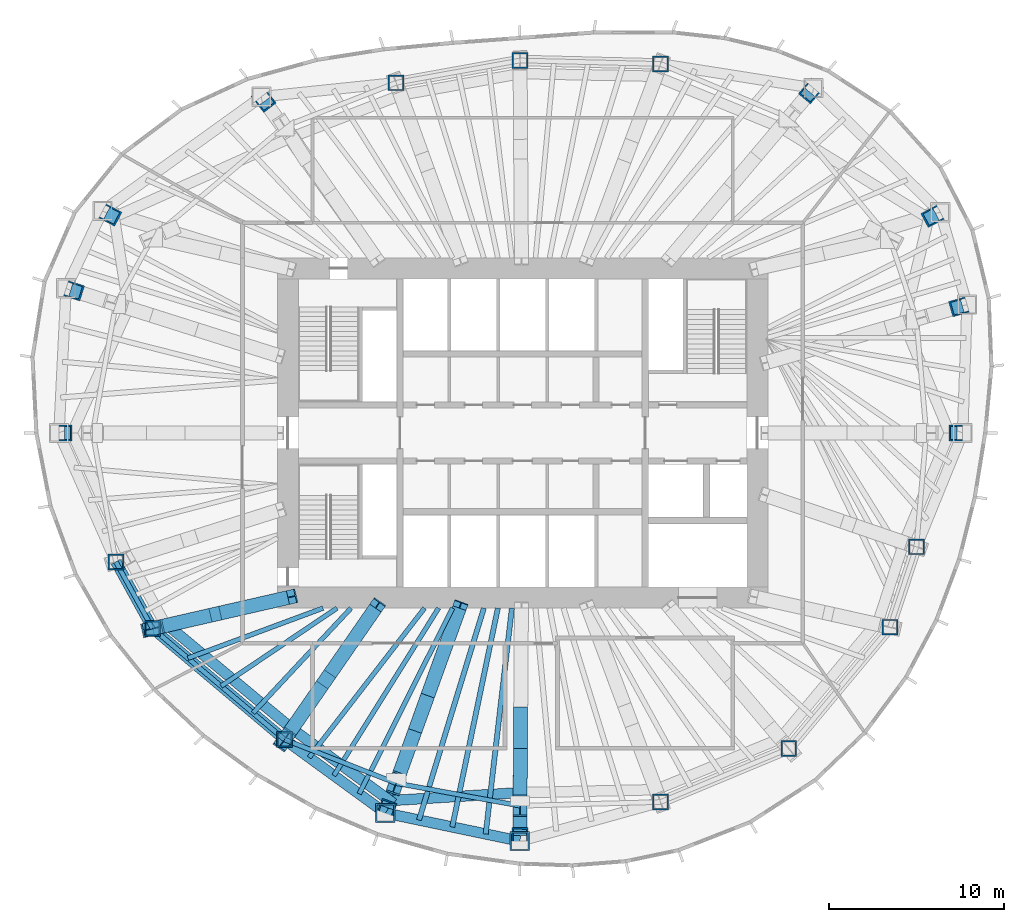
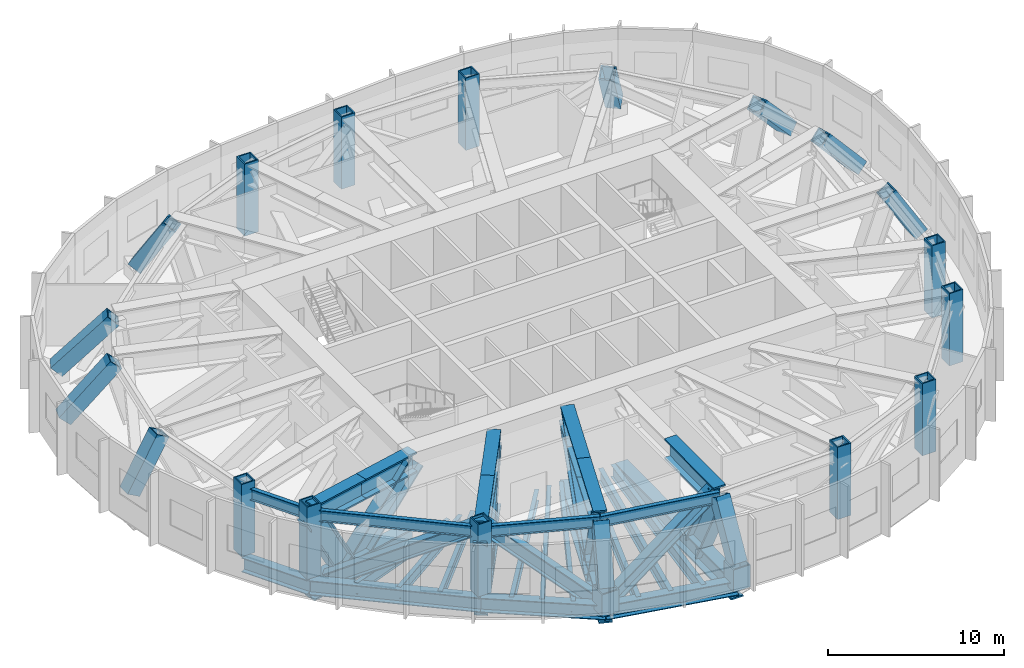
# One storey, part 1 of 11: 27 members, 20 columns, 13 beams.
"""IFC4 building model written with IfcOpenShell, lengths in metres."""

from ifc_helpers import new_model, si_unit, direction, frame, origin, origin_2d, place, context, subcontext, project, spatial, hollow_rectangle, i_section, extrude, material, material_profile, profile_set, type_object, element, save


model = new_model("IFC4")

# Units and contexts
model_context = context("Model", 3, precision=1e-05, world=origin(), true_north=direction((0.0, 1.0)))
body_context = subcontext(model_context, "Body", "Model", "MODEL_VIEW")
ifc_project = project(units=[si_unit("LENGTHUNIT", "METRE"), si_unit("AREAUNIT", "SQUARE_METRE"), si_unit("VOLUMEUNIT", "CUBIC_METRE"), si_unit("PLANEANGLEUNIT", "RADIAN"), si_unit("MASSUNIT", "GRAM", prefix="KILO")], contexts=[model_context])

# Site, building, storey
site_placement = place(None, origin())
site = spatial("IfcSite", under=ifc_project, at=site_placement, CompositionType="ELEMENT")
building_placement = place(site_placement, origin())
building = spatial("IfcBuilding", under=site, at=building_placement, Name="Ghaith Harvest Tower", CompositionType="ELEMENT")
storey_placement = place(building_placement, frame((0.0, 0.0, 266.199951171875)))
storey = spatial("IfcBuildingStorey", under=building, at=storey_placement, Name="L59", CompositionType="ELEMENT", Elevation=266.199951171875)

# Columns
ifc_material_1 = material(Name="Steel S460M", Category="steel")
ifc_material_profile_1 = material_profile(ifc_material_1, hollow_rectangle(XDim=0.89990234375, YDim=0.89990234375, WallThickness=0.080078125, at=origin_2d()), Name="BOX900X900X80")
ifc_profile_set_1 = profile_set([ifc_material_profile_1], Name="Steel S460M")
column_type = type_object("IfcColumnType", Name="TS1 BOX900X900X80", PredefinedType="COLUMN", material=ifc_profile_set_1)
column_1_placement = place(storey_placement, frame((25.125, 0.0, 0.775146484375), z_axis=(-0.515405111385, 0.0, 0.856946655958), x_axis=(0.0, -1.0, 0.0)))
element("IfcColumn", 1, at=column_1_placement, inside=storey, type_object=column_type, Name="Raked transfer column C01", PredefinedType="COLUMN", context=body_context, shape_type="SweptSolid", body=[
    extrude(hollow_rectangle(XDim=0.89990234375, YDim=0.89990234375, WallThickness=0.080078125, at=origin_2d()), origin(), (0.0, 0.0, 1.0), 4.02587890625),
])
column_2_placement = place(storey_placement, frame((25.3779296875, 7.3349609375, 0.775146484375), z_axis=(-0.631726369702, -0.182549674222, 0.753390609355), x_axis=(0.277611158879, -0.960693522652, 0.0)))
element("IfcColumn", 2, at=column_2_placement, inside=storey, type_object=column_type, Name="Raked transfer column C02", PredefinedType="COLUMN", context=body_context, shape_type="SweptSolid", body=[
    extrude(hollow_rectangle(XDim=0.89990234375, YDim=0.89990234375, WallThickness=0.080078125, at=origin_2d()), origin(), (0.0, 0.0, 1.0), 4.579345703125),
])
column_3_placement = place(storey_placement, frame((23.85205078125, 12.60693359375, 0.775146484375), z_axis=(-0.606436450507, -0.320418443873, 0.727713441076), x_axis=(0.467163118871, -0.884171148798, 0.0)))
element("IfcColumn", 3, at=column_3_placement, inside=storey, type_object=column_type, Name="Raked transfer column C03", PredefinedType="COLUMN", context=body_context, shape_type="SweptSolid", body=[
    extrude(hollow_rectangle(XDim=0.89990234375, YDim=0.89990234375, WallThickness=0.080078125, at=origin_2d()), origin(), (0.0, 0.0, 1.0), 4.74072265625),
])
column_4_placement = place(storey_placement, frame((16.60791015625, 19.695068359375, 0.775146484375), z_axis=(-0.345156416479, -0.409346544842, 0.844572350003), x_axis=(0.764502907629, -0.6446202791, 0.0)))
element("IfcColumn", 4, at=column_4_placement, inside=storey, type_object=column_type, Name="Raked transfer column C04", PredefinedType="COLUMN", context=body_context, shape_type="SweptSolid", body=[
    extrude(hollow_rectangle(XDim=0.89990234375, YDim=0.89990234375, WallThickness=0.080078125, at=origin_2d()), origin(), (0.0, 0.0, 1.0), 4.0849609375),
])
for number, where, z_axis, x_axis, name in (
    (5, (7.8779296875, 21.072021484375, 0.0), (0.0, 0.0, 1.0), (1.0, 0.0, 0.0), "Perimeter column C05"),
    (6, (-0.14599609375, 21.27099609375, 0.0), (0.0, 0.0, 1.0), (1.0, 0.0, 0.0), "Perimeter column C06"),
    (7, (-7.221923828125, 19.9970703125, 0.0), (0.0, 0.0, 1.0), (1.0, 0.0, 0.0), "Perimeter column C07"),
):
    element("IfcColumn", number, at=place(storey_placement, frame(where, z_axis=z_axis, x_axis=x_axis)), inside=storey, type_object=column_type, Name=name, PredefinedType="COLUMN", context=body_context, shape_type="SweptSolid", body=[
        extrude(hollow_rectangle(XDim=0.89990234375, YDim=0.89990234375, WallThickness=0.080078125, at=origin_2d()), origin(), (0.0, 0.0, 1.0), 5.0),
    ])
column_5_placement = place(storey_placement, frame((-14.910888671875, 19.199951171875, 0.775146484375), z_axis=(0.323887325382, -0.417207736573, 0.849137624299), x_axis=(0.789909367964, 0.613223605549, 0.0)))
element("IfcColumn", 8, at=column_5_placement, inside=storey, type_object=column_type, Name="Raked transfer column C08", PredefinedType="COLUMN", context=body_context, shape_type="SweptSolid", body=[
    extrude(hollow_rectangle(XDim=0.89990234375, YDim=0.89990234375, WallThickness=0.080078125, at=origin_2d()), origin(), (0.0, 0.0, 1.0), 4.06298828125),
])
column_6_placement = place(storey_placement, frame((-23.986083984375, 12.677978515625, 0.775146484375), z_axis=(0.604865513716, -0.319646055674, 0.729358697356), x_axis=(0.467228978727, 0.884136347764, 0.0)))
element("IfcColumn", 9, at=column_6_placement, inside=storey, type_object=column_type, Name="Raked transfer column C09", PredefinedType="COLUMN", context=body_context, shape_type="SweptSolid", body=[
    extrude(hollow_rectangle(XDim=0.89990234375, YDim=0.89990234375, WallThickness=0.080078125, at=origin_2d()), origin(), (0.0, 0.0, 1.0), 4.730224609375),
])
column_7_placement = place(storey_placement, frame((-26.06689453125, 8.260986328125, 0.775146484375), z_axis=(0.623392642344, -0.197554006377, 0.756540830382), x_axis=(0.302095077495, 0.953277800095, 0.0)))
element("IfcColumn", 10, at=column_7_placement, inside=storey, type_object=column_type, Name="Raked transfer column C10", PredefinedType="COLUMN", context=body_context, shape_type="SweptSolid", body=[
    extrude(hollow_rectangle(XDim=0.89990234375, YDim=0.89990234375, WallThickness=0.080078125, at=origin_2d()), origin(), (0.0, 0.0, 1.0), 4.56005859375),
])
column_8_placement = place(storey_placement, frame((-26.47509765625, 0.0, 0.775146484375), z_axis=(0.487268631782, 0.0, 0.873252128816), x_axis=(0.0, 1.0, 0.0)))
element("IfcColumn", 11, at=column_8_placement, inside=storey, type_object=column_type, Name="Raked transfer column C11", PredefinedType="COLUMN", context=body_context, shape_type="SweptSolid", body=[
    extrude(hollow_rectangle(XDim=0.89990234375, YDim=0.89990234375, WallThickness=0.080078125, at=origin_2d()), origin(), (0.0, 0.0, 1.0), 3.95068359375),
])
for number, where, z_axis, x_axis, name in (
    (12, (-23.22412109375, -7.360107421875, 0.0), (0.0, 0.0, 1.0), (1.0, 0.0, 0.0), "Perimeter column C12"),
    (13, (-21.125, -11.166015625, 0.0), (0.0, 0.0, 1.0), (1.0, 0.0, 0.0), "Perimeter column C13"),
    (14, (-13.594970703125, -17.5048828125, 0.0), (0.0, 0.0, 1.0), (1.0, 0.0, 0.0), "Perimeter column C14"),
):
    element("IfcColumn", number, at=place(storey_placement, frame(where, z_axis=z_axis, x_axis=x_axis)), inside=storey, type_object=column_type, Name=name, PredefinedType="COLUMN", context=body_context, shape_type="SweptSolid", body=[
        extrude(hollow_rectangle(XDim=0.89990234375, YDim=0.89990234375, WallThickness=0.080078125, at=origin_2d()), origin(), (0.0, 0.0, 1.0), 5.0),
    ])
column_9_placement = place(storey_placement, frame((-7.837890625, -21.699951171875, 0.775146484375), z_axis=(0.158089001677, 0.437047477883, 0.885436259493), x_axis=(-0.94037072056, 0.340151301502, 0.0)))
element("IfcColumn", 15, at=column_9_placement, inside=storey, type_object=column_type, Name="Raked transfer column C15", PredefinedType="COLUMN", context=body_context, shape_type="SweptSolid", body=[
    extrude(hollow_rectangle(XDim=0.89990234375, YDim=0.89990234375, WallThickness=0.080078125, at=origin_2d()), origin(), (0.0, 0.0, 1.0), 3.896240234375),
])
column_10_placement = place(storey_placement, frame((-0.158935546875, -23.304931640625, 0.775146484375), z_axis=(0.003237001924, 0.505094451094, 0.863058003435), x_axis=(-0.999979464875, 0.006408574563, 0.0)))
element("IfcColumn", 16, at=column_10_placement, inside=storey, type_object=column_type, Name="Raked transfer column C16", PredefinedType="COLUMN", context=body_context, shape_type="SweptSolid", body=[
    extrude(hollow_rectangle(XDim=0.89990234375, YDim=0.89990234375, WallThickness=0.080078125, at=origin_2d()), origin(), (0.0, 0.0, 1.0), 3.997314453125),
])
for number, where, z_axis, x_axis, name in (
    (17, (7.8779296875, -21.072021484375, 0.0), (0.0, 0.0, 1.0), (1.0, 0.0, 0.0), "Perimeter column C17"),
    (18, (15.197998046875, -18.02294921875, 0.0), (0.0, 0.0, 1.0), (1.0, 0.0, 0.0), "Perimeter column C18"),
    (19, (20.97705078125, -11.087890625, 0.0), (0.0, 0.0, 1.0), (1.0, 0.0, 0.0), "Perimeter column C19"),
    (20, (22.485107421875, -6.4990234375, 0.0), (0.0, 0.0, 1.0), (1.0, 0.0, 0.0), "Perimeter column C20"),
):
    element("IfcColumn", number, at=place(storey_placement, frame(where, z_axis=z_axis, x_axis=x_axis)), inside=storey, type_object=column_type, Name=name, PredefinedType="COLUMN", context=body_context, shape_type="SweptSolid", body=[
        extrude(hollow_rectangle(XDim=0.89990234375, YDim=0.89990234375, WallThickness=0.080078125, at=origin_2d()), origin(), (0.0, 0.0, 1.0), 5.0),
    ])

# Members
ifc_material_2 = material(Name="Steel ASTM A992 Grade 50", Category="steel")
ifc_material_profile_2 = material_profile(ifc_material_2, i_section(OverallWidth=0.26806640625, OverallDepth=0.77001953125, WebThickness=0.015625, FlangeThickness=0.025390625, at=origin_2d()), Name="W760X196")
ifc_profile_set_2 = profile_set([ifc_material_profile_2], Name="Steel ASTM A992 Grade 50")
member_type_1 = type_object("IfcMemberType", Name="BC760-196 W760X196", PredefinedType="CHORD", material=ifc_profile_set_2)
member_1_placement = place(storey_placement, frame((-23.22412109375, -7.360107421875, 4.130126953125), z_axis=(0.482955575345, -0.875644855089, 0.0), x_axis=(0.875644855089, 0.482955575345, 0.0)))
element("IfcMember", 21, at=member_1_placement, inside=storey, type_object=member_type_1, Name="Belt truss BT12 top chord", PredefinedType="CHORD", context=body_context, shape_type="SweptSolid", body=[
    extrude(i_section(OverallWidth=0.26806640625, OverallDepth=0.77001953125, WebThickness=0.015625, FlangeThickness=0.025390625, at=origin_2d()), origin(), (0.0, 0.0, 1.0), 4.346435546875),
])
member_2_placement = place(storey_placement, frame((-21.125, -11.166015625, 4.130126953125), z_axis=(0.765021818761, -0.64400436087, 0.0), x_axis=(0.64400436087, 0.765021818761, 0.0)))
element("IfcMember", 22, at=member_2_placement, inside=storey, type_object=member_type_1, Name="Belt truss BT13 top chord", PredefinedType="CHORD", context=body_context, shape_type="SweptSolid", body=[
    extrude(i_section(OverallWidth=0.26806640625, OverallDepth=0.77001953125, WebThickness=0.015625, FlangeThickness=0.025390625, at=origin_2d()), origin(), (0.0, 0.0, 1.0), 9.8427734375),
])
member_3_placement = place(storey_placement, frame((-13.594970703125, -17.5048828125, 4.130126953125), z_axis=(0.931322768207, -0.364194867371, 0.0), x_axis=(0.364194867371, 0.931322768207, 0.0)))
element("IfcMember", 23, at=member_3_placement, inside=storey, type_object=member_type_1, Name="Belt truss BT14 top chord", PredefinedType="CHORD", context=body_context, shape_type="SweptSolid", body=[
    extrude(i_section(OverallWidth=0.26806640625, OverallDepth=0.77001953125, WebThickness=0.015625, FlangeThickness=0.025390625, at=origin_2d()), origin(), (0.0, 0.0, 1.0), 6.843017578125),
])
member_4_placement = place(storey_placement, frame((-7.221923828125, -19.9970703125, 4.130126953125), z_axis=(0.983813921429, -0.179193102551, 0.0), x_axis=(0.179193102551, 0.983813921429, 0.0)))
element("IfcMember", 24, at=member_4_placement, inside=storey, type_object=member_type_1, Name="Belt truss BT15 top chord", PredefinedType="CHORD", context=body_context, shape_type="SweptSolid", body=[
    extrude(i_section(OverallWidth=0.26806640625, OverallDepth=0.77001953125, WebThickness=0.015625, FlangeThickness=0.025390625, at=origin_2d()), origin(), (0.0, 0.0, 1.0), 7.1923828125),
])
ifc_material_3 = material(Name="Steel S460", Category="steel")
ifc_material_profile_3 = material_profile(ifc_material_3, i_section(OverallWidth=0.60009765625, OverallDepth=0.89990234375, WebThickness=0.031982421875, FlangeThickness=0.06396484375, at=origin_2d()), Name="PG900X600X32X64")
ifc_profile_set_3 = profile_set([ifc_material_profile_3], Name="Steel S460")
member_type_2 = type_object("IfcMemberType", Name="BD900 PG900X600X32X64", PredefinedType="BRACE", material=ifc_profile_set_3)
member_5_placement = place(storey_placement, frame((-20.4619140625, -10.8154296875, -1.0), z_axis=(0.676860212669, -0.563257037459, 0.473921683676), x_axis=(0.639652676992, 0.768664070201, 0.0)))
element("IfcMember", 25, at=member_5_placement, inside=storey, type_object=member_type_2, Name="Belt truss BT13 diagonal", PredefinedType="BRACE", context=body_context, shape_type="SweptSolid", body=[
    extrude(i_section(OverallWidth=0.60009765625, OverallDepth=0.89990234375, WebThickness=0.031982421875, FlangeThickness=0.06396484375, at=origin_2d()), origin(), (0.0, 0.0, 1.0), 10.824951171875),
])
member_6_placement = place(storey_placement, frame((-13.135009765625, -16.91259765625, 4.130126953125), z_axis=(0.646238646764, -0.475158758746, -0.597159748656), x_axis=(0.592376923227, 0.805660958982, 0.0)))
element("IfcMember", 26, at=member_6_placement, inside=storey, type_object=member_type_2, Name="Belt truss BT14 diagonal", PredefinedType="BRACE", context=body_context, shape_type="SweptSolid", body=[
    extrude(i_section(OverallWidth=0.60009765625, OverallDepth=0.89990234375, WebThickness=0.031982421875, FlangeThickness=0.06396484375, at=origin_2d()), origin(), (0.0, 0.0, 1.0), 8.5908203125),
])
member_7_placement = place(storey_placement, frame((-7.583251953125, -20.99462890625, -1.0), z_axis=(0.82228640705, 0.050684823476, 0.566812238267), x_axis=(-0.061522131184, 0.998105719538, 0.0)))
element("IfcMember", 27, at=member_7_placement, inside=storey, type_object=member_type_2, Name="Belt truss BT15 diagonal", PredefinedType="BRACE", context=body_context, shape_type="SweptSolid", body=[
    extrude(i_section(OverallWidth=0.60009765625, OverallDepth=0.89990234375, WebThickness=0.031982421875, FlangeThickness=0.06396484375, at=origin_2d()), origin(), (0.0, 0.0, 1.0), 9.05078125),
])

# Beams
ifc_material_4 = material(Name="Steel S460", Category="steel")
ifc_material_profile_4 = material_profile(ifc_material_4, i_section(OverallWidth=0.60009765625, OverallDepth=1.0, WebThickness=0.02490234375, FlangeThickness=0.050048828125, at=origin_2d()), Name="PG1000X600X25X50")
ifc_profile_set_4 = profile_set([ifc_material_profile_4], Name="Steel S460")
beam_type_1 = type_object("IfcBeamType", Name="EPG1000 PG1000X600X25X50", PredefinedType="SPANDREL", material=ifc_profile_set_4)
beam_1_placement = place(storey_placement, frame((-23.22412109375, -7.360107421875, -0.800048828125), z_axis=(0.482955575345, -0.875644855089, 0.0), x_axis=(0.875644855089, 0.482955575345, 0.0)))
element("IfcBeam", 28, at=beam_1_placement, inside=storey, type_object=beam_type_1, Name="Edge beam E12 L59", PredefinedType="SPANDREL", context=body_context, shape_type="SweptSolid", body=[
    extrude(i_section(OverallWidth=0.60009765625, OverallDepth=1.0, WebThickness=0.02490234375, FlangeThickness=0.050048828125, at=origin_2d()), origin(), (0.0, 0.0, 1.0), 4.346435546875),
])
beam_2_placement = place(storey_placement, frame((-21.125, -11.166015625, -0.800048828125), z_axis=(0.765021818761, -0.64400436087, 0.0), x_axis=(0.64400436087, 0.765021818761, 0.0)))
element("IfcBeam", 29, at=beam_2_placement, inside=storey, type_object=beam_type_1, Name="Edge beam E13 L59", PredefinedType="SPANDREL", context=body_context, shape_type="SweptSolid", body=[
    extrude(i_section(OverallWidth=0.60009765625, OverallDepth=1.0, WebThickness=0.02490234375, FlangeThickness=0.050048828125, at=origin_2d()), origin(), (0.0, 0.0, 1.0), 9.8427734375),
])
beam_3_placement = place(storey_placement, frame((-13.594970703125, -17.5048828125, -0.800048828125), z_axis=(0.808194782503, -0.588915268553, 0.0), x_axis=(0.588915268553, 0.808194782503, 0.0)))
element("IfcBeam", 30, at=beam_3_placement, inside=storey, type_object=beam_type_1, Name="Edge beam E14 L59", PredefinedType="SPANDREL", context=body_context, shape_type="SweptSolid", body=[
    extrude(i_section(OverallWidth=0.60009765625, OverallDepth=1.0, WebThickness=0.02490234375, FlangeThickness=0.050048828125, at=origin_2d()), origin(), (0.0, 0.0, 1.0), 7.123291015625),
])
beam_4_placement = place(storey_placement, frame((-7.837890625, -21.699951171875, -0.800048828125), z_axis=(0.978847910797, -0.20458926543, 0.0), x_axis=(0.20458926543, 0.978847910797, 0.0)))
element("IfcBeam", 31, at=beam_4_placement, inside=storey, type_object=beam_type_1, Name="Edge beam E15 L59", PredefinedType="SPANDREL", context=body_context, shape_type="SweptSolid", body=[
    extrude(i_section(OverallWidth=0.60009765625, OverallDepth=1.0, WebThickness=0.02490234375, FlangeThickness=0.050048828125, at=origin_2d()), origin(), (0.0, 0.0, 1.0), 7.844970703125),
])
ifc_material_5 = material(Name="Steel ASTM A992 Grade 50", Category="steel")
ifc_material_profile_5 = material_profile(ifc_material_5, i_section(OverallWidth=0.26806640625, OverallDepth=0.77001953125, WebThickness=0.015625, FlangeThickness=0.025390625, at=origin_2d()), Name="W760X196")
ifc_profile_set_5 = profile_set([ifc_material_profile_5], Name="Steel ASTM A992 Grade 50")
beam_type_2 = type_object("IfcBeamType", Name="J760-196 W760X196", PredefinedType="JOIST", material=ifc_profile_set_5)
beam_5_placement = place(storey_placement, frame((-11.39990234375, -10.0, -0.68505859375), z_axis=(-0.937594001899, -0.34773191916, 0.0), x_axis=(0.34773191916, -0.937594001899, 0.0)))
element("IfcBeam", 32, at=beam_5_placement, inside=storey, type_object=beam_type_2, Name="Joist J13.1 L59", PredefinedType="JOIST", context=body_context, shape_type="SweptSolid", body=[
    extrude(i_section(OverallWidth=0.26806640625, OverallDepth=0.77001953125, WebThickness=0.015625, FlangeThickness=0.025390625, at=origin_2d()), origin(), (0.0, 0.0, 1.0), 8.225830078125),
])
beam_6_placement = place(storey_placement, frame((-10.60009765625, -10.0, -0.68505859375), z_axis=(-0.829594017544, -0.55836705316, 0.0), x_axis=(0.55836705316, -0.829594017544, 0.0)))
element("IfcBeam", 33, at=beam_6_placement, inside=storey, type_object=beam_type_2, Name="Joist J13.2 L59", PredefinedType="JOIST", context=body_context, shape_type="SweptSolid", body=[
    extrude(i_section(OverallWidth=0.26806640625, OverallDepth=0.77001953125, WebThickness=0.015625, FlangeThickness=0.025390625, at=origin_2d()), origin(), (0.0, 0.0, 1.0), 7.977783203125),
])
beam_7_placement = place(storey_placement, frame((-9.800048828125, -10.0, -0.68505859375), z_axis=(-0.68249016383, -0.730894777841, 0.0), x_axis=(0.730894777841, -0.68249016383, 0.0)))
element("IfcBeam", 34, at=beam_7_placement, inside=storey, type_object=beam_type_2, Name="Joist J13.3 L59", PredefinedType="JOIST", context=body_context, shape_type="SweptSolid", body=[
    extrude(i_section(OverallWidth=0.26806640625, OverallDepth=0.77001953125, WebThickness=0.015625, FlangeThickness=0.025390625, at=origin_2d()), origin(), (0.0, 0.0, 1.0), 8.196044921875),
])
beam_8_placement = place(storey_placement, frame((-5.60009765625, -10.0, -0.68505859375), z_axis=(-0.611412687895, -0.791311901264, 0.0), x_axis=(0.791311901264, -0.611412687895, 0.0)))
element("IfcBeam", 35, at=beam_8_placement, inside=storey, type_object=beam_type_2, Name="Joist J14.1 L59", PredefinedType="JOIST", context=body_context, shape_type="SweptSolid", body=[
    extrude(i_section(OverallWidth=0.26806640625, OverallDepth=0.77001953125, WebThickness=0.015625, FlangeThickness=0.025390625, at=origin_2d()), origin(), (0.0, 0.0, 1.0), 10.778076171875),
])
beam_9_placement = place(storey_placement, frame((-4.800048828125, -10.0, -0.68505859375), z_axis=(-0.529921073682, -0.848046965484, 0.0), x_axis=(0.848046965484, -0.529921073682, 0.0)))
element("IfcBeam", 36, at=beam_9_placement, inside=storey, type_object=beam_type_2, Name="Joist J14.2 L59", PredefinedType="JOIST", context=body_context, shape_type="SweptSolid", body=[
    extrude(i_section(OverallWidth=0.26806640625, OverallDepth=0.77001953125, WebThickness=0.015625, FlangeThickness=0.025390625, at=origin_2d()), origin(), (0.0, 0.0, 1.0), 11.273681640625),
])
beam_10_placement = place(storey_placement, frame((-4.0, -10.0, -0.68505859375), z_axis=(-0.448791718068, -0.893636387908, 0.0), x_axis=(0.893636387908, -0.448791718068, 0.0)))
element("IfcBeam", 37, at=beam_10_placement, inside=storey, type_object=beam_type_2, Name="Joist J14.3 L59", PredefinedType="JOIST", context=body_context, shape_type="SweptSolid", body=[
    extrude(i_section(OverallWidth=0.26806640625, OverallDepth=0.77001953125, WebThickness=0.015625, FlangeThickness=0.025390625, at=origin_2d()), origin(), (0.0, 0.0, 1.0), 11.8759765625),
])
ifc_material_6 = material(Name="Steel ASTM A992 Grade 50", Category="steel")
ifc_material_profile_6 = material_profile(ifc_material_6, i_section(OverallWidth=0.2939453125, OverallDepth=0.85107421875, WebThickness=0.01611328125, FlangeThickness=0.02685546875, at=origin_2d()), Name="W840X226")
ifc_profile_set_6 = profile_set([ifc_material_profile_6], Name="Steel ASTM A992 Grade 50")
beam_type_3 = type_object("IfcBeamType", Name="J840-226 W840X226", PredefinedType="JOIST", material=ifc_profile_set_6)
beam_11_placement = place(storey_placement, frame((-2.2119140625, -10.0, -0.725341796875), z_axis=(-0.292880561557, -0.956149034755, 0.0), x_axis=(0.956149034755, -0.292880561557, 0.0)))
element("IfcBeam", 38, at=beam_11_placement, inside=storey, type_object=beam_type_3, Name="Joist J15.1 L59", PredefinedType="JOIST", context=body_context, shape_type="SweptSolid", body=[
    extrude(i_section(OverallWidth=0.2939453125, OverallDepth=0.85107421875, WebThickness=0.01611328125, FlangeThickness=0.02685546875, at=origin_2d()), origin(), (0.0, 0.0, 1.0), 12.65625),
])
beam_12_placement = place(storey_placement, frame((-1.411865234375, -10.0, -0.725341796875), z_axis=(-0.204111557153, -0.978947635084, 0.0), x_axis=(0.978947635084, -0.204111557153, 0.0)))
element("IfcBeam", 39, at=beam_12_placement, inside=storey, type_object=beam_type_3, Name="Joist J15.2 L59", PredefinedType="JOIST", context=body_context, shape_type="SweptSolid", body=[
    extrude(i_section(OverallWidth=0.2939453125, OverallDepth=0.85107421875, WebThickness=0.01611328125, FlangeThickness=0.02685546875, at=origin_2d()), origin(), (0.0, 0.0, 1.0), 12.767333984375),
])
beam_13_placement = place(storey_placement, frame((-0.61181640625, -10.0, -0.725341796875), z_axis=(-0.115187191449, -0.993343802984, 0.0), x_axis=(0.993343802984, -0.115187191449, 0.0)))
element("IfcBeam", 40, at=beam_13_placement, inside=storey, type_object=beam_type_3, Name="Joist J15.3 L59", PredefinedType="JOIST", context=body_context, shape_type="SweptSolid", body=[
    extrude(i_section(OverallWidth=0.2939453125, OverallDepth=0.85107421875, WebThickness=0.01611328125, FlangeThickness=0.02685546875, at=origin_2d()), origin(), (0.0, 0.0, 1.0), 12.984130859375),
])

# Members
ifc_material_7 = material(Name="Steel S460M", Category="steel")
ifc_material_profile_7 = material_profile(ifc_material_7, hollow_rectangle(XDim=1.10009765625, YDim=1.10009765625, WallThickness=0.080078125, at=origin_2d()), Name="BOX1100X1100X80")
ifc_profile_set_7 = profile_set([ifc_material_profile_7], Name="Steel S460M")
member_type_3 = type_object("IfcMemberType", Name="KN1 BOX1100X1100X80", PredefinedType="USERDEFINED", material=ifc_profile_set_7)
for number, where, z_axis, x_axis, name in (
    (41, (-7.837890625, -21.699951171875, -0.77490234375), (0.0, 0.0, 1.0), (1.0, 0.0, 0.0), "Raked column kink node C15 base L59"),
    (42, (-0.158935546875, -23.304931640625, -0.77490234375), (0.0, 0.0, 1.0), (1.0, 0.0, 0.0), "Raked column kink node C16 base L59"),
):
    element("IfcMember", number, at=place(storey_placement, frame(where, z_axis=z_axis, x_axis=x_axis)), inside=storey, type_object=member_type_3, Name=name, ObjectType="KINK NODE", PredefinedType="USERDEFINED", context=body_context, shape_type="SweptSolid", body=[
        extrude(hollow_rectangle(XDim=1.10009765625, YDim=1.10009765625, WallThickness=0.080078125, at=origin_2d()), origin(), (0.0, 0.0, 1.0), 1.550048828125),
    ])
ifc_material_8 = material(Name="Steel S460", Category="steel")
ifc_material_profile_8 = material_profile(ifc_material_8, i_section(OverallWidth=0.800048828125, OverallDepth=1.39990234375, WebThickness=0.050048828125, FlangeThickness=0.10009765625, at=origin_2d()), Name="PG1400X800X50X100")
ifc_profile_set_8 = profile_set([ifc_material_profile_8], Name="Steel S460")
member_type_4 = type_object("IfcMemberType", Name="OC1400 PG1400X800X50X100", PredefinedType="CHORD", material=ifc_profile_set_8)
member_8_placement = place(storey_placement, frame((-13.39990234375, -9.39990234375, -1.0), z_axis=(-0.974848180196, -0.222869974576, 0.0), x_axis=(0.222869974576, -0.974848180196, 0.0)))
element("IfcMember", 43, at=member_8_placement, inside=storey, type_object=member_type_4, Name="Outrigger truss OT13 bottom chord", PredefinedType="CHORD", context=body_context, shape_type="SweptSolid", body=[
    extrude(i_section(OverallWidth=0.800048828125, OverallDepth=1.39990234375, WebThickness=0.050048828125, FlangeThickness=0.10009765625, at=origin_2d()), origin(), (0.0, 0.0, 1.0), 7.92431640625),
])
for number, where, z_axis, x_axis, name in (
    (44, (-13.39990234375, -9.39990234375, 4.130126953125), (-0.974848180196, -0.222869974576, 0.0), (0.222869974576, -0.974848180196, 0.0), "Outrigger truss OT13 top chord 1"),
    (45, (-17.262451171875, -10.282958984375, 4.130126953125), (-0.974848180196, -0.222869974576, 0.0), (0.222869974576, -0.974848180196, 0.0), "Outrigger truss OT13 top chord 2"),
):
    element("IfcMember", number, at=place(storey_placement, frame(where, z_axis=z_axis, x_axis=x_axis)), inside=storey, type_object=member_type_4, Name=name, PredefinedType="CHORD", context=body_context, shape_type="SweptSolid", body=[
        extrude(i_section(OverallWidth=0.800048828125, OverallDepth=1.39990234375, WebThickness=0.050048828125, FlangeThickness=0.10009765625, at=origin_2d()), origin(), (0.0, 0.0, 1.0), 3.962158203125),
    ])
member_9_placement = place(storey_placement, frame((-8.39990234375, -10.0, -1.0), z_axis=(-0.569164078909, -0.822223966617, 0.0), x_axis=(0.822223966617, -0.569164078909, 0.0)))
element("IfcMember", 46, at=member_9_placement, inside=storey, type_object=member_type_4, Name="Outrigger truss OT14 bottom chord", PredefinedType="CHORD", context=body_context, shape_type="SweptSolid", body=[
    extrude(i_section(OverallWidth=0.800048828125, OverallDepth=1.39990234375, WebThickness=0.050048828125, FlangeThickness=0.10009765625, at=origin_2d()), origin(), (0.0, 0.0, 1.0), 9.12744140625),
])
for number, where, z_axis, x_axis, name in (
    (47, (-8.39990234375, -10.0, 4.130126953125), (-0.569182161331, -0.822211449216, 0.0), (0.822211449216, -0.569182161331, 0.0), "Outrigger truss OT14 top chord 1"),
    (48, (-10.99755859375, -13.75244140625, 4.130126953125), (-0.56914599566, -0.822236484002, 0.0), (0.822236484002, -0.56914599566, 0.0), "Outrigger truss OT14 top chord 2"),
):
    element("IfcMember", number, at=place(storey_placement, frame(where, z_axis=z_axis, x_axis=x_axis)), inside=storey, type_object=member_type_4, Name=name, PredefinedType="CHORD", context=body_context, shape_type="SweptSolid", body=[
        extrude(i_section(OverallWidth=0.800048828125, OverallDepth=1.39990234375, WebThickness=0.050048828125, FlangeThickness=0.10009765625, at=origin_2d()), origin(), (0.0, 0.0, 1.0), 4.563720703125),
    ])
member_10_placement = place(storey_placement, frame((-3.61181640625, -10.0, -1.0), z_axis=(-0.339722108335, -0.940525857756, 0.0), x_axis=(0.940525857756, -0.339722108335, 0.0)))
element("IfcMember", 49, at=member_10_placement, inside=storey, type_object=member_type_4, Name="Outrigger truss OT15 bottom chord", PredefinedType="CHORD", context=body_context, shape_type="SweptSolid", body=[
    extrude(i_section(OverallWidth=0.800048828125, OverallDepth=1.39990234375, WebThickness=0.050048828125, FlangeThickness=0.10009765625, at=origin_2d()), origin(), (0.0, 0.0, 1.0), 12.439697265625),
])
for number, where, z_axis, x_axis, name in (
    (50, (-3.61181640625, -10.0, 4.130126953125), (-0.339669298673, -0.940544931164, 0.0), (0.940544931164, -0.339669298673, 0.0), "Outrigger truss OT15 top chord 1"),
    (51, (-5.4169921875, -14.99853515625, 4.130126953125), (-0.339628659383, -0.940559606684, 0.0), (0.940559606684, -0.339628659383, 0.0), "Outrigger truss OT15 top chord 2"),
):
    element("IfcMember", number, at=place(storey_placement, frame(where, z_axis=z_axis, x_axis=x_axis)), inside=storey, type_object=member_type_4, Name=name, PredefinedType="CHORD", context=body_context, shape_type="SweptSolid", body=[
        extrude(i_section(OverallWidth=0.800048828125, OverallDepth=1.39990234375, WebThickness=0.050048828125, FlangeThickness=0.10009765625, at=origin_2d()), origin(), (0.0, 0.0, 1.0), 5.314453125),
    ])
member_11_placement = place(storey_placement, frame((-0.068359375, -10.0, -1.0), z_axis=(-0.00680755644, -0.999976828319, 0.0), x_axis=(0.999976828319, -0.00680755644, 0.0)))
element("IfcMember", 52, at=member_11_placement, inside=storey, type_object=member_type_4, Name="Outrigger truss OT16 bottom chord", PredefinedType="CHORD", context=body_context, shape_type="SweptSolid", body=[
    extrude(i_section(OverallWidth=0.800048828125, OverallDepth=1.39990234375, WebThickness=0.050048828125, FlangeThickness=0.10009765625, at=origin_2d()), origin(), (0.0, 0.0, 1.0), 13.30517578125),
])
member_12_placement = place(storey_placement, frame((-0.107177734375, -15.64306640625, 4.130126953125), z_axis=(-0.006879082675, -0.999976338831, 0.0), x_axis=(0.999976338831, -0.006879082675, 0.0)))
element("IfcMember", 53, at=member_12_placement, inside=storey, type_object=member_type_4, Name="Outrigger truss OT16 top chord 2", PredefinedType="CHORD", context=body_context, shape_type="SweptSolid", body=[
    extrude(i_section(OverallWidth=0.800048828125, OverallDepth=1.39990234375, WebThickness=0.050048828125, FlangeThickness=0.10009765625, at=origin_2d()), origin(), (0.0, 0.0, 1.0), 5.64306640625),
])
ifc_material_9 = material(Name="Steel S460", Category="steel")
ifc_material_profile_9 = material_profile(ifc_material_9, i_section(OverallWidth=0.800048828125, OverallDepth=1.39990234375, WebThickness=0.050048828125, FlangeThickness=0.10009765625, at=origin_2d()), Name="PG1400X800X50X100")
ifc_profile_set_9 = profile_set([ifc_material_profile_9], Name="Steel S460")
member_type_5 = type_object("IfcMemberType", Name="OD1400 PG1400X800X50X100", PredefinedType="BRACE", material=ifc_profile_set_9)
member_13_placement = place(storey_placement, frame((-13.39990234375, -9.39990234375, 4.130126953125), z_axis=(-0.690723604858, -0.157904628065, -0.705667790202), x_axis=(0.222858262038, -0.974850857845, 0.0)))
element("IfcMember", 54, at=member_13_placement, inside=storey, type_object=member_type_5, Name="Outrigger truss OT13 diagonal 1", PredefinedType="BRACE", context=body_context, shape_type="SweptSolid", body=[
    extrude(i_section(OverallWidth=0.800048828125, OverallDepth=1.39990234375, WebThickness=0.050048828125, FlangeThickness=0.10009765625, at=origin_2d()), origin(), (0.0, 0.0, 1.0), 7.269775390625),
])
member_14_placement = place(storey_placement, frame((-18.42138671875, -10.5478515625, -1.0), z_axis=(-0.463598675532, -0.105998902515, 0.879682045236), x_axis=(0.222891728293, -0.974843206602, 0.0)))
element("IfcMember", 55, at=member_14_placement, inside=storey, type_object=member_type_5, Name="Outrigger truss OT13 diagonal 2", PredefinedType="BRACE", context=body_context, shape_type="SweptSolid", body=[
    extrude(i_section(OverallWidth=0.800048828125, OverallDepth=1.39990234375, WebThickness=0.050048828125, FlangeThickness=0.10009765625, at=origin_2d()), origin(), (0.0, 0.0, 1.0), 5.831787109375),
])
member_15_placement = place(storey_placement, frame((-8.39990234375, -10.0, 4.130126953125), z_axis=(-0.430522892915, -0.621956324441, -0.654079788072), x_axis=(0.82223070675, -0.569154341877, 0.0)))
element("IfcMember", 56, at=member_15_placement, inside=storey, type_object=member_type_5, Name="Outrigger truss OT14 diagonal 1", PredefinedType="BRACE", context=body_context, shape_type="SweptSolid", body=[
    extrude(i_section(OverallWidth=0.800048828125, OverallDepth=1.39990234375, WebThickness=0.050048828125, FlangeThickness=0.10009765625, at=origin_2d()), origin(), (0.0, 0.0, 1.0), 7.84326171875),
])
member_16_placement = place(storey_placement, frame((-11.776611328125, -14.878173828125, -1.0), z_axis=(-0.300877121105, -0.434631705957, 0.848862908939), x_axis=(0.822211449216, -0.569182161331, 0.0)))
element("IfcMember", 57, at=member_16_placement, inside=storey, type_object=member_type_5, Name="Outrigger truss OT14 diagonal 2", PredefinedType="BRACE", context=body_context, shape_type="SweptSolid", body=[
    extrude(i_section(OverallWidth=0.800048828125, OverallDepth=1.39990234375, WebThickness=0.050048828125, FlangeThickness=0.10009765625, at=origin_2d()), origin(), (0.0, 0.0, 1.0), 6.04345703125),
])
member_17_placement = place(storey_placement, frame((-3.61181640625, -10.0, 4.130126953125), z_axis=(-0.286869473422, -0.794168512007, -0.535725937169), x_axis=(0.940521208258, -0.339734980267, 0.0)))
element("IfcMember", 58, at=member_17_placement, inside=storey, type_object=member_type_5, Name="Outrigger truss OT15 diagonal 1", PredefinedType="BRACE", context=body_context, shape_type="SweptSolid", body=[
    extrude(i_section(OverallWidth=0.800048828125, OverallDepth=1.39990234375, WebThickness=0.050048828125, FlangeThickness=0.10009765625, at=origin_2d()), origin(), (0.0, 0.0, 1.0), 9.575927734375),
])
member_18_placement = place(storey_placement, frame((-6.35888671875, -17.60498046875, -1.0), z_axis=(-0.150726987394, -0.417771717817, 0.895962145999), x_axis=(0.940650979671, -0.339375506546, 0.0)))
element("IfcMember", 59, at=member_18_placement, inside=storey, type_object=member_type_5, Name="Outrigger truss OT15 diagonal 2", PredefinedType="BRACE", context=body_context, shape_type="SweptSolid", body=[
    extrude(i_section(OverallWidth=0.800048828125, OverallDepth=1.39990234375, WebThickness=0.050048828125, FlangeThickness=0.10009765625, at=origin_2d()), origin(), (0.0, 0.0, 1.0), 5.725830078125),
])
member_19_placement = place(storey_placement, frame((-0.127197265625, -18.648193359375, -1.0), z_axis=(-0.003258856733, -0.457255690144, 0.889329305535), x_axis=(0.999974603974, -0.007126809006, 0.0)))
element("IfcMember", 60, at=member_19_placement, inside=storey, type_object=member_type_5, Name="Outrigger truss OT16 diagonal 2", PredefinedType="BRACE", context=body_context, shape_type="SweptSolid", body=[
    extrude(i_section(OverallWidth=0.800048828125, OverallDepth=1.39990234375, WebThickness=0.050048828125, FlangeThickness=0.10009765625, at=origin_2d()), origin(), (0.0, 0.0, 1.0), 5.7685546875),
])

save(model, "model.ifc")
